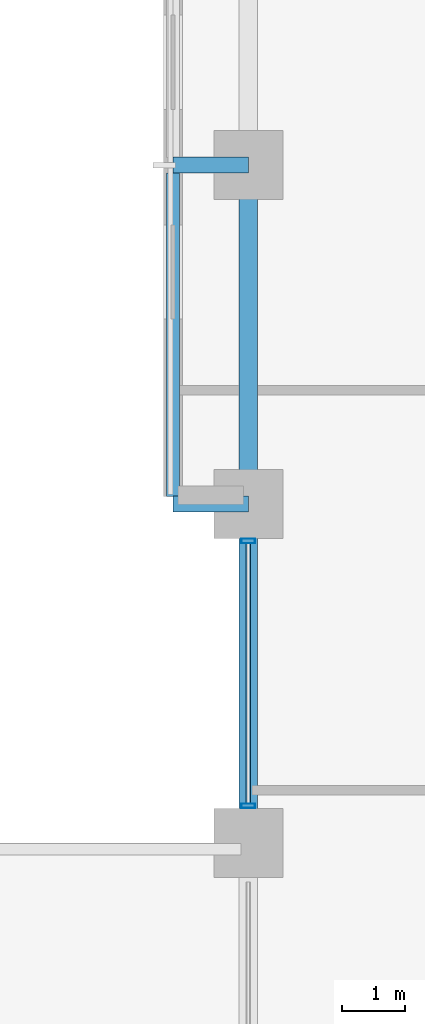
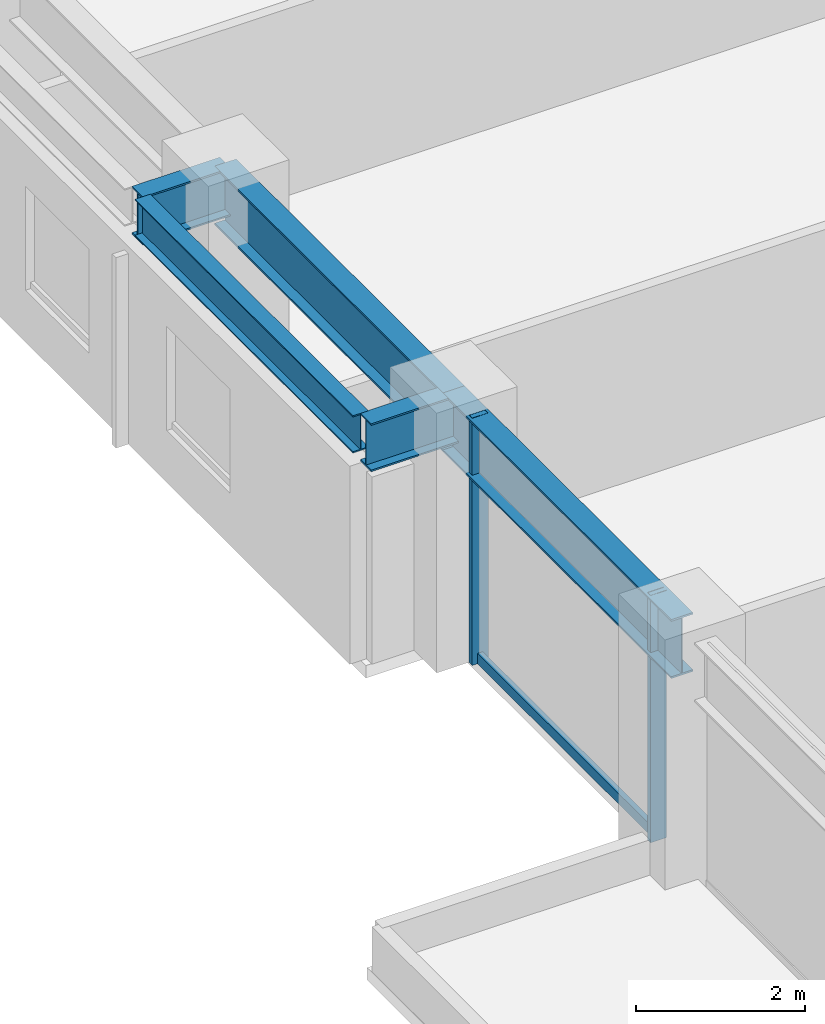
# One storey, part 5 of 25: 5 beams, 3 members, 1 element without a shape of its own.
"""IFC4 building model written with IfcOpenShell, lengths in metres."""

from ifc_helpers import new_model, si_unit, direction, frame, origin, origin_2d, place, context, subcontext, project, spatial, hollow_rectangle, i_section, extrude, material, layer, layer_set, material_profile, profile_set, type_object, element, aggregate, save


model = new_model("IFC4")

# Units and contexts
model_context = context("Model", 3, precision=1e-05, world=origin(), true_north=direction((0.0, 1.0)))
body_context = subcontext(model_context, "Body", "Model", "MODEL_VIEW")
ifc_project = project(units=[si_unit("LENGTHUNIT", "METRE"), si_unit("AREAUNIT", "SQUARE_METRE"), si_unit("VOLUMEUNIT", "CUBIC_METRE"), si_unit("PLANEANGLEUNIT", "RADIAN"), si_unit("MASSUNIT", "GRAM", prefix="KILO")], contexts=[model_context])

# Site, building, storey
site_placement = place(None, origin())
site = spatial("IfcSite", under=ifc_project, at=site_placement, CompositionType="ELEMENT")
building_placement = place(site_placement, origin())
building = spatial("IfcBuilding", under=site, at=building_placement, Name="Surkhivell Harbour Commons", CompositionType="ELEMENT")
storey_placement = place(building_placement, frame((0.0, 0.0, 94.5)))
storey = spatial("IfcBuildingStorey", under=building, at=storey_placement, Name="L24", CompositionType="ELEMENT", Elevation=94.5)

# Beams
ifc_material_1 = material(Name="Steel S460", Category="steel")
ifc_material_profile_1 = material_profile(ifc_material_1, i_section(OverallWidth=0.256103515625, OverallDepth=0.693115234375, WebThickness=0.014404296875, FlangeThickness=0.023681640625, at=origin_2d()), Name="UB686x254x170")
ifc_profile_set_1 = profile_set([ifc_material_profile_1], Name="Steel S460")
beam_type_1 = type_object("IfcBeamType", Name="BM-CNT-686", PredefinedType="BEAM", material=ifc_profile_set_1)
for number, where, z_axis, x_axis, name in (
    (1, (-32.39990234375, 0.0, 3.223388671875), (-1.0, 0.0, 0.0), (0.0, -1.0, 0.0), "L24 Box Cantilever Outrigger (-32.4,0.0)"),
    (2, (-32.39990234375, 5.39990234375, 3.223388671875), (-1.0, 0.0, 0.0), (0.0, -1.0, 0.0), "L24 Box Cantilever Outrigger (-32.4,5.4)"),
):
    element("IfcBeam", number, at=place(storey_placement, frame(where, z_axis=z_axis, x_axis=x_axis)), inside=storey, type_object=beam_type_1, Name=name, PredefinedType="BEAM", context=body_context, shape_type="SweptSolid", body=[
        extrude(i_section(OverallWidth=0.256103515625, OverallDepth=0.693115234375, WebThickness=0.014404296875, FlangeThickness=0.023681640625, at=origin_2d()), origin(), (0.0, 0.0, 1.0), 1.2001953125),
    ])
ifc_material_2 = material(Name="Steel S355", Category="steel")
ifc_material_profile_2 = material_profile(ifc_material_2, i_section(OverallWidth=0.2099609375, OverallDepth=0.537109375, WebThickness=0.0107421875, FlangeThickness=0.017333984375, at=origin_2d()), Name="UB533x210x101")
ifc_profile_set_2 = profile_set([ifc_material_profile_2], Name="Steel S355")
beam_type_2 = type_object("IfcBeamType", Name="BM-GRD-533B", PredefinedType="BEAM", material=ifc_profile_set_2)
beam_placement = place(storey_placement, frame((-33.60009765625, 0.1220703125, 3.301513671875), z_axis=(0.0, 1.0, 0.0), x_axis=(-1.0, 0.0, 0.0)))
element("IfcBeam", 3, at=beam_placement, inside=storey, type_object=beam_type_2, Name="L24 Box Rim Spandrel (-33.6,0.0)", PredefinedType="BEAM", context=body_context, shape_type="SweptSolid", body=[
    extrude(i_section(OverallWidth=0.2099609375, OverallDepth=0.537109375, WebThickness=0.0107421875, FlangeThickness=0.017333984375, at=origin_2d()), origin(), (0.0, 0.0, 1.0), 5.156005859375),
])
ifc_material_profile_3 = material_profile(ifc_material_1, i_section(OverallWidth=0.2939453125, OverallDepth=0.85107421875, WebThickness=0.01611328125, FlangeThickness=0.02685546875, at=origin_2d()), Name="UB838x292x226")
ifc_profile_set_3 = profile_set([ifc_material_profile_3], Name="Steel S460")
beam_type_3 = type_object("IfcBeamType", Name="BM-SPN-838", PredefinedType="SPANDREL", material=ifc_profile_set_3)
for number, where, z_axis, x_axis, name in (
    (4, (-32.39990234375, -5.39990234375, 3.14453125), (0.0, 1.0, 0.0), (-1.0, 0.0, 0.0), "L24 Tube Spandrel (-32.4,-5.4)"),
    (5, (-32.39990234375, 0.0, 3.14453125), (0.0, 1.0, 0.0), (-1.0, 0.0, 0.0), "L24 Tube Spandrel (-32.4,0.0)"),
):
    element("IfcBeam", number, at=place(storey_placement, frame(where, z_axis=z_axis, x_axis=x_axis)), inside=storey, type_object=beam_type_3, Name=name, PredefinedType="SPANDREL", context=body_context, shape_type="SweptSolid", body=[
        extrude(i_section(OverallWidth=0.2939453125, OverallDepth=0.85107421875, WebThickness=0.01611328125, FlangeThickness=0.02685546875, at=origin_2d()), origin(), (0.0, 0.0, 1.0), 5.39990234375),
    ])

# Curtain wall, members
ifc_material_3 = material(Name="Anodised pale-metal aluminium and insulated glazing", Category="aluminium")
ifc_layer = layer(ifc_material_3, 0.205078125)
ifc_layer_set = layer_set([ifc_layer], Name="Anodised pale-metal aluminium and insulated glazing")
curtain_wall_type = type_object("IfcCurtainWallType", Name="CW-SYS-Z2", PredefinedType="NOTDEFINED", material=ifc_layer_set)
curtain_wall_placement = place(storey_placement, origin())
curtain_wall = element("IfcCurtainWall", 6, at=curtain_wall_placement, inside=storey, type_object=curtain_wall_type, Name="L24 Curtain Wall CW-L24-E12R1S2", PredefinedType="NOTDEFINED")
ifc_material_4 = material(Name="Anodised pale-metal aluminium alloy 6063-T6", Category="aluminium")
ifc_material_profile_4 = material_profile(ifc_material_4, hollow_rectangle(XDim=0.074951171875, YDim=0.219970703125, WallThickness=0.00390625, at=origin_2d()), Name="ALU-MULL-75x220")
ifc_profile_set_4 = profile_set([ifc_material_profile_4], Name="Anodised pale-metal aluminium alloy 6063-T6")
member_type_1 = type_object("IfcMemberType", Name="CWM-220", PredefinedType="MULLION", material=ifc_profile_set_4)
member_1_placement = place(storey_placement, frame((-32.39990234375, -4.810546875, 0.0), z_axis=(0.0, 0.0, 1.0), x_axis=(0.0, 1.0, 0.0)))
member_1 = element("IfcMember", 7, at=member_1_placement, type_object=member_type_1, Name="CW-Z2 mullion 2", PredefinedType="MULLION", context=body_context, shape_type="SweptSolid", body=[
    extrude(hollow_rectangle(XDim=0.074951171875, YDim=0.219970703125, WallThickness=0.00390625, at=origin_2d()), origin(), (0.0, 0.0, 1.0), 3.570068359375),
])
member_2_placement = place(storey_placement, frame((-32.39990234375, -0.589599609375, 0.0), z_axis=(0.0, 0.0, 1.0), x_axis=(0.0, 1.0, 0.0)))
member_2 = element("IfcMember", 8, at=member_2_placement, type_object=member_type_1, Name="CW-Z2 mullion 3", PredefinedType="MULLION", context=body_context, shape_type="SweptSolid", body=[
    extrude(hollow_rectangle(XDim=0.074951171875, YDim=0.219970703125, WallThickness=0.00390625, at=origin_2d()), origin(), (0.0, 0.0, 1.0), 3.570068359375),
])
ifc_material_profile_5 = material_profile(ifc_material_4, hollow_rectangle(XDim=0.074951171875, YDim=0.14990234375, WallThickness=0.00341796875, at=origin_2d()), Name="ALU-TRAN-75x150")
ifc_profile_set_5 = profile_set([ifc_material_profile_5], Name="Anodised pale-metal aluminium alloy 6063-T6")
member_type_2 = type_object("IfcMemberType", Name="CWT-150", PredefinedType="USERDEFINED", material=ifc_profile_set_5)
member_3_placement = place(storey_placement, frame((-32.39990234375, -4.77294921875, 0.074951171875), z_axis=(0.0, 1.0, 0.0), x_axis=(-1.0, 0.0, 0.0)))
member_3 = element("IfcMember", 9, at=member_3_placement, type_object=member_type_2, Name="CW-Z2 transom 2.1", ObjectType="TRANSOM", PredefinedType="USERDEFINED", context=body_context, shape_type="SweptSolid", body=[
    extrude(hollow_rectangle(XDim=0.074951171875, YDim=0.14990234375, WallThickness=0.00341796875, at=origin_2d()), origin(), (0.0, 0.0, 1.0), 4.14599609375),
])
aggregate(curtain_wall, [member_1, member_2, member_3])

save(model, "model.ifc")
